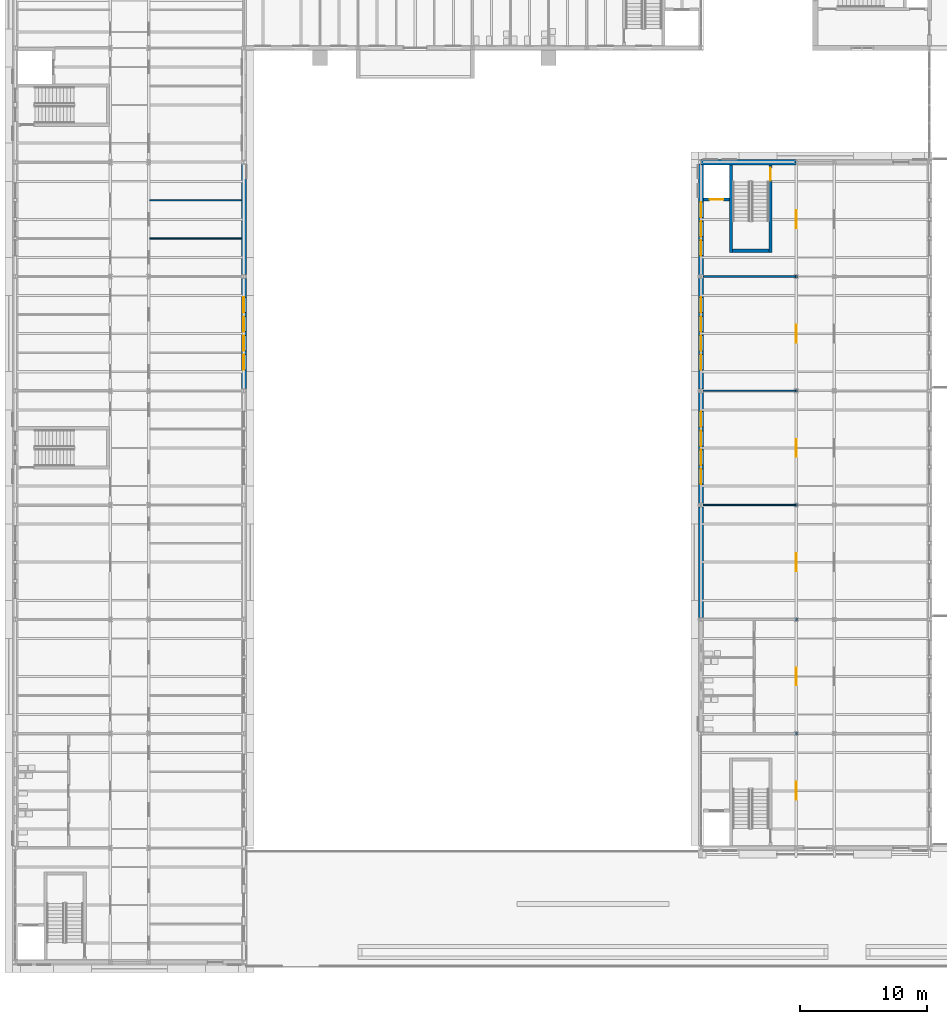
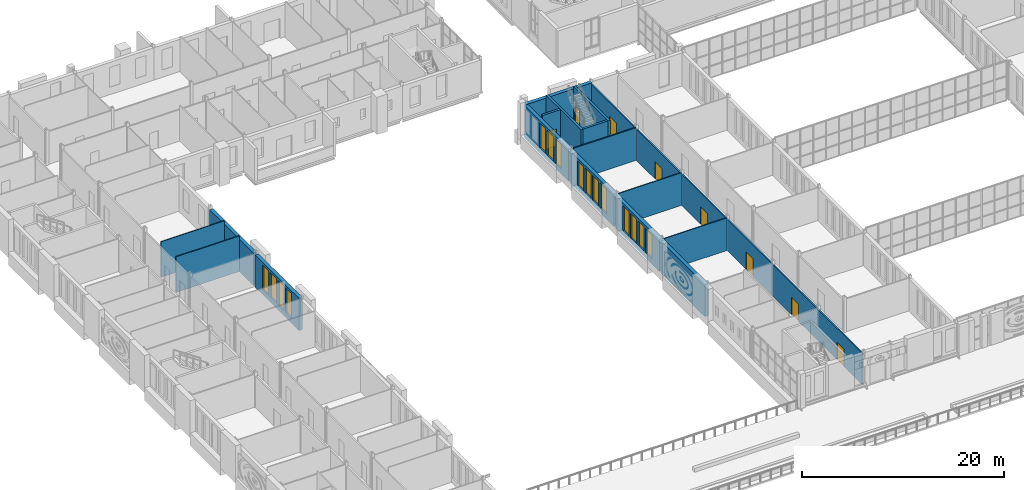
# One storey, part 73 of 134: 17 walls, 15 windows, 8 doors, 23 openings.
"""IFC4 building model written with IfcOpenShell, lengths in metres."""

import ifcopenshell
import ifcopenshell.guid

model = None  # the IFC model being written
_history = None  # IfcOwnerHistory: only IFC2X3 demands one
_inside = {}  # id of a spatial element -> (the spatial element, [elements in it])
_under = {}  # id of a project, library or spatial element -> (it, [spatial elements below it])
_declared = {}  # id of a project -> (the project, [libraries it declares])
_typed = {}  # id of a type object -> (the type object, [elements of that type])
_made_of = {}  # id of a material, layer set ... -> (it, [elements and type objects made of it])


def new_model(schema):
    """Start an empty IFC model of exactly this schema.

    Asked for "IFC4X3", IfcOpenShell would pick the latest addendum, in which some entities
    have other attributes; the version numbers below select the first issue.
    IFC2X3 requires an IfcOwnerHistory on every rooted entity: one is made here for all.
    """
    global model, _history
    if schema == "IFC4X3":
        model = ifcopenshell.file(schema_version=(4, 3, 0, 0))
    else:
        model = ifcopenshell.file(schema=schema)
    _inside.clear()
    _under.clear()
    _declared.clear()
    _typed.clear()
    _made_of.clear()
    _history = None
    if model.schema == "IFC2X3":
        org = make("IfcOrganization", Name="unknown")
        user = make(
            "IfcPersonAndOrganization",
            ThePerson=make("IfcPerson", FamilyName="unknown"),
            TheOrganization=org,
        )
        app = make(
            "IfcApplication",
            ApplicationDeveloper=org,
            Version="unknown",
            ApplicationFullName="unknown",
            ApplicationIdentifier="unknown",
        )
        _history = make(
            "IfcOwnerHistory",
            OwningUser=user,
            OwningApplication=app,
            ChangeAction="ADDED",
            CreationDate=0,
        )
    return model


def make(cls, **values):
    """One entity of the class cls with the attributes given. An attribute that is None is left unset."""
    return model.create_entity(
        cls, **{name: value for name, value in values.items() if value is not None}
    )


def rooted(cls, **values):
    """An entity with a GlobalId (a new one), such as an element, a storey or a relation."""
    return make(cls, GlobalId=ifcopenshell.guid.new(), OwnerHistory=_history, **values)


def si_unit(unit_type, name, prefix=None):
    """IfcSIUnit, for example si_unit("LENGTHUNIT", "METRE", prefix="MILLI")."""
    return make("IfcSIUnit", UnitType=unit_type, Prefix=prefix, Name=name)


def assignment(units):
    """IfcUnitAssignment: the units of a project."""
    return None if units is None else make("IfcUnitAssignment", Units=units)


def point(xyz):
    """IfcCartesianPoint."""
    return None if xyz is None else make("IfcCartesianPoint", Coordinates=xyz)


def direction(xyz):
    """IfcDirection."""
    return None if xyz is None else make("IfcDirection", DirectionRatios=xyz)


def frame(location, z_axis=None, x_axis=None):
    """IfcAxis2Placement3D, a coordinate frame: its origin and axes. An axis left out is left unset."""
    return make(
        "IfcAxis2Placement3D",
        Location=point(location),
        Axis=direction(z_axis),
        RefDirection=direction(x_axis),
    )


def frame_2d(location, x_axis=None):
    """IfcAxis2Placement2D, a coordinate frame in the plane: its origin and x axis."""
    return make(
        "IfcAxis2Placement2D", Location=point(location), RefDirection=direction(x_axis)
    )


def origin():
    """The frame at (0, 0, 0) with its axes left unset."""
    return frame((0.0, 0.0, 0.0))


def place(relative_to, where):
    """IfcLocalPlacement: puts the frame where relative to a parent placement (None: the world)."""
    return make(
        "IfcLocalPlacement", PlacementRelTo=relative_to, RelativePlacement=where
    )


def context(
    kind, dimensions, precision=None, world=None, true_north=None, identifier=None
):
    """IfcGeometricRepresentationContext, for example the 3D "Model" context."""
    return make(
        "IfcGeometricRepresentationContext",
        ContextIdentifier=identifier,
        ContextType=kind,
        CoordinateSpaceDimension=dimensions,
        Precision=precision,
        WorldCoordinateSystem=world,
        TrueNorth=true_north,
    )


def subcontext(parent, identifier, kind, view, scale=None):
    """IfcGeometricRepresentationSubContext, for example "Body" below "Model"."""
    return make(
        "IfcGeometricRepresentationSubContext",
        ContextIdentifier=identifier,
        ContextType=kind,
        ParentContext=parent,
        TargetScale=scale,
        TargetView=view,
    )


def project(units=None, contexts=None):
    """IfcProject with its units and contexts."""
    return rooted(
        "IfcProject",
        Name="project",
        RepresentationContexts=contexts,
        UnitsInContext=assignment(units),
    )


def spatial(cls, under=None, at=None, **own):
    """A site, building, storey or space (cls), placed at a placement, below another one or the project."""
    s = rooted(cls, ObjectPlacement=at, **own)
    if under is not None:
        _under.setdefault(under.id(), (under, []))[1].append(s)
    return s


def profile(cls, at=None, kind="AREA", **sizes):
    """A parametric profile (cls). Its sizes go by their IFC names, for example OverallWidth=200.0."""
    return make(cls, ProfileType=kind, Position=at, **sizes)


def rectangle(**sizes):
    """IfcRectangleProfileDef."""
    return profile("IfcRectangleProfileDef", **sizes)


def extrude(swept, where, along, depth):
    """IfcExtrudedAreaSolid: the profile swept, set in the frame where, extruded along a direction by depth."""
    return make(
        "IfcExtrudedAreaSolid",
        SweptArea=swept,
        Position=where,
        ExtrudedDirection=direction(along),
        Depth=depth,
    )


def shape(context_of_items, identifier, shape_type, items):
    """IfcShapeRepresentation: the items that make up one representation, for example the "Body"."""
    return make(
        "IfcShapeRepresentation",
        ContextOfItems=context_of_items,
        RepresentationIdentifier=identifier,
        RepresentationType=shape_type,
        Items=items,
    )


def material(Name=None, Category=None):
    """IfcMaterial."""
    return make("IfcMaterial", Name=Name, Category=Category)


def layer(
    of_material, thickness, ventilated=None, Name=None, Category=None, Priority=None
):
    """IfcMaterialLayer: one layer of a wall or slab, of a material (None: an air gap)."""
    return make(
        "IfcMaterialLayer",
        Material=of_material,
        LayerThickness=thickness,
        IsVentilated=ventilated,
        Name=Name,
        Category=Category,
        Priority=Priority,
    )


def layer_set(layers, Name=None):
    """IfcMaterialLayerSet."""
    return make("IfcMaterialLayerSet", MaterialLayers=layers, LayerSetName=Name)


def made_of(thing, what):
    """Note that an element or type object is made of a material, layer set ...; save() writes the relation."""
    if what is not None:
        _made_of.setdefault(what.id(), (what, []))[1].append(thing)
    return thing


def type_object(cls, material=None, **own):
    """A type object (cls), such as IfcWallType, which elements share."""
    return made_of(rooted(cls, **own), material)


def element(
    cls,
    number,
    at=None,
    inside=None,
    cuts=None,
    type_object=None,
    material=None,
    context=None,
    identifier="Body",
    shape_type=None,
    held_by="IfcProductDefinitionShape",
    body=None,
    shapes=None,
    **own,
):
    """One element of the class cls, such as IfcWall. Its Tag is "e" and its number.

    at: its placement. inside: the storey or other place that contains it. cuts: it is an
    opening in that element (IfcRelVoidsElement). A single representation is given by context,
    identifier, shape_type and body (its items); several are given by shapes. held_by: the class
    of the entity that holds the representations. save() writes the other relations.
    """
    e = rooted(cls, Tag="e%d" % number, ObjectPlacement=at, **own)
    if body is not None:
        shapes = [shape(context, identifier, shape_type, body)]
    if shapes is not None:
        e.Representation = make(held_by, Representations=shapes)
    if inside is not None:
        _inside.setdefault(inside.id(), (inside, []))[1].append(e)
    if cuts is not None:
        rooted(
            "IfcRelVoidsElement", RelatingBuildingElement=cuts, RelatedOpeningElement=e
        )
    if type_object is not None:
        _typed.setdefault(type_object.id(), (type_object, []))[1].append(e)
    return made_of(e, material)


def fill(opening, filler):
    """IfcRelFillsElement: the door or window that sits in an opening."""
    return rooted(
        "IfcRelFillsElement",
        RelatingOpeningElement=opening,
        RelatedBuildingElement=filler,
    )


def aggregate(whole, parts):
    """IfcRelAggregates: a whole, such as a stair, and the parts it consists of."""
    return rooted("IfcRelAggregates", RelatingObject=whole, RelatedObjects=parts)


def save(model, path):
    """Write the relations noted so far, then the file.

    IfcRelAggregates (storeys below a building ...), IfcRelContainedInSpatialStructure (elements
    in a storey), IfcRelDefinesByType, IfcRelAssociatesMaterial and IfcRelDeclares: one each for
    every whole, place, type object, material and project.
    """
    for whole, parts in _under.values():
        aggregate(whole, parts)
    for where, things in _inside.values():
        rooted(
            "IfcRelContainedInSpatialStructure",
            RelatedElements=things,
            RelatingStructure=where,
        )
    for kind, things in _typed.values():
        rooted("IfcRelDefinesByType", RelatedObjects=things, RelatingType=kind)
    for what, things in _made_of.values():
        rooted("IfcRelAssociatesMaterial", RelatedObjects=things, RelatingMaterial=what)
    for by, libraries in _declared.values():
        rooted("IfcRelDeclares", RelatingContext=by, RelatedDefinitions=libraries)
    model.write(path)


model = new_model("IFC4")

# Units and contexts
model_context = context("Model", 3, precision=1e-05, world=origin(), true_north=direction((0.0, 1.0)))
body_context = subcontext(model_context, "Body", "Model", "MODEL_VIEW")
ifc_project = project(units=[si_unit("LENGTHUNIT", "METRE"), si_unit("AREAUNIT", "SQUARE_METRE"), si_unit("VOLUMEUNIT", "CUBIC_METRE"), si_unit("PLANEANGLEUNIT", "RADIAN"), si_unit("MASSUNIT", "GRAM", prefix="KILO")], contexts=[model_context])

# Site, building, storey
site_placement = place(None, origin())
site = spatial("IfcSite", under=ifc_project, at=site_placement, CompositionType="ELEMENT")
building_placement = place(site_placement, origin())
building = spatial("IfcBuilding", under=site, at=building_placement, Name="Golden Quay Civic Hall", CompositionType="ELEMENT")
storey_placement = place(building_placement, frame((0.0, 0.0, 5.39990234375)))
storey = spatial("IfcBuildingStorey", under=building, at=storey_placement, Name="L01", CompositionType="ELEMENT", Elevation=5.39990234375)

# Wall
ifc_material_1 = material(Name="Concrete C40/50", Category="concrete")
ifc_layer_1 = layer(ifc_material_1, 0.25)
ifc_layer_set_1 = layer_set([ifc_layer_1], Name="Concrete core wall 250, Concrete C40/50")
wall_type_1 = type_object("IfcWallType", Name="Concrete core wall 250", PredefinedType="SHEAR", material=ifc_layer_set_1)
wall_1_placement = place(storey_placement, frame((56.375, 46.89990234375, 0.0), z_axis=(0.0, 0.0, 1.0), x_axis=(0.0, 1.0, 0.0)))
element("IfcWall", 1, at=wall_1_placement, inside=storey, type_object=wall_type_1, Name="Core wall WM-N-W1", PredefinedType="SHEAR", context=body_context, shape_type="SweptSolid", body=[
    extrude(rectangle(XDim=6.900146484375, YDim=0.25, at=frame_2d((3.4501953125, 0.0))), origin(), (0.0, 0.0, 1.0), 4.300048828125),
])

# Wall, opening, door
wall_2_placement = place(storey_placement, frame((59.47509765625, 46.89990234375, 0.0), z_axis=(0.0, 0.0, 1.0), x_axis=(0.0, 1.0, 0.0)))
wall_2 = element("IfcWall", 2, at=wall_2_placement, inside=storey, type_object=wall_type_1, Name="Core wall WM-N-W2", PredefinedType="SHEAR", context=body_context, shape_type="SweptSolid", body=[
    extrude(rectangle(XDim=6.900146484375, YDim=0.25, at=frame_2d((3.4501953125, 0.0))), origin(), (0.0, 0.0, 1.0), 4.300048828125),
])
opening_1_placement = place(wall_2_placement, frame((5.64990234375, 0.0, 0.0)))
opening_1 = element("IfcOpeningElement", 3, at=opening_1_placement, cuts=wall_2, Name="Opening L01-D105", PredefinedType="OPENING", context=body_context, shape_type="SweptSolid", body=[
    extrude(rectangle(XDim=1.0, YDim=2.10009765625, at=frame_2d((0.5, 1.050048828125))), frame((0.0, 0.135009765625, 0.0), z_axis=(0.0, -1.0, 0.0), x_axis=(1.0, 0.0, 0.0)), (0.0, 0.0, 1.0), 0.27001953125),
])
ifc_material_2 = material(Name="Steel", Category="steel")
door_type_1 = type_object("IfcDoorType", Name="Steel fire door FD60 1000 x 2100", OperationType="SINGLE_SWING_LEFT", PredefinedType="DOOR", material=ifc_material_2)
door_1_placement = place(opening_1_placement, origin())
door_1 = element("IfcDoor", 4, at=door_1_placement, inside=storey, type_object=door_type_1, Name="Door L01-D105", OperationType="SINGLE_SWING_LEFT", OverallHeight=2.10009765625, OverallWidth=1.0, PredefinedType="DOOR", context=body_context, shape_type="SweptSolid", body=[
    extrude(rectangle(XDim=1.0, YDim=2.10009765625, at=frame_2d((0.5, 1.050048828125))), frame((0.0, 0.02490234375, 0.0), z_axis=(0.0, -1.0, 0.0), x_axis=(1.0, 0.0, 0.0)), (0.0, 0.0, 1.0), 0.050048828125),
])
fill(opening_1, door_1)

# Wall
wall_3_placement = place(storey_placement, frame((56.5, 47.02490234375, 0.0), z_axis=(0.0, 0.0, 1.0), x_axis=(1.0, 0.0, 0.0)))
element("IfcWall", 5, at=wall_3_placement, inside=storey, type_object=wall_type_1, Name="Core wall WM-N-W3", PredefinedType="SHEAR", context=body_context, shape_type="SweptSolid", body=[
    extrude(rectangle(XDim=2.85009765625, YDim=0.25, at=frame_2d((1.425048828125, 0.0))), origin(), (0.0, 0.0, 1.0), 4.300048828125),
])

# Wall, opening, door
wall_4_placement = place(storey_placement, frame((54.199951171875, 51.074951171875, 0.0), z_axis=(0.0, 0.0, 1.0), x_axis=(1.0, 0.0, 0.0)))
wall_4 = element("IfcWall", 6, at=wall_4_placement, inside=storey, type_object=wall_type_1, Name="Core wall WM-N-W4", PredefinedType="SHEAR", context=body_context, shape_type="SweptSolid", body=[
    extrude(rectangle(XDim=2.050048828125, YDim=0.25, at=frame_2d((1.02490234375, 0.0))), origin(), (0.0, 0.0, 1.0), 4.300048828125),
])
opening_2_placement = place(wall_4_placement, frame((0.47509765625, 0.0, 0.0)))
opening_2 = element("IfcOpeningElement", 7, at=opening_2_placement, cuts=wall_4, Name="Opening L01-D108", PredefinedType="OPENING", context=body_context, shape_type="SweptSolid", body=[
    extrude(rectangle(XDim=1.10009765625, YDim=2.10009765625, at=frame_2d((0.550048828125, 1.050048828125))), frame((0.0, 0.135009765625, 0.0), z_axis=(0.0, -1.0, 0.0), x_axis=(1.0, 0.0, 0.0)), (0.0, 0.0, 1.0), 0.27001953125),
])
ifc_material_3 = material(Name="Steel", Category="steel")
door_type_2 = type_object("IfcDoorType", Name="Lift landing door 1100 x 2100", OperationType="SLIDING_TO_LEFT", PredefinedType="DOOR", material=ifc_material_3)
door_2_placement = place(opening_2_placement, origin())
door_2 = element("IfcDoor", 8, at=door_2_placement, inside=storey, type_object=door_type_2, Name="Lift landing door L01-D108 WM-N", OperationType="SLIDING_TO_LEFT", OverallHeight=2.10009765625, OverallWidth=1.10009765625, PredefinedType="DOOR", context=body_context, shape_type="SweptSolid", body=[
    extrude(rectangle(XDim=1.10009765625, YDim=2.10009765625, at=frame_2d((0.550048828125, 1.050048828125))), frame((0.0, 0.02490234375, 0.0), z_axis=(0.0, -1.0, 0.0), x_axis=(1.0, 0.0, 0.0)), (0.0, 0.0, 1.0), 0.050048828125),
])
fill(opening_2, door_2)

# Walls
ifc_material_4 = material(Name="Plasterboard on steel studs", Category="steel")
ifc_layer_2 = layer(ifc_material_4, 0.10009765625)
ifc_layer_set_2 = layer_set([ifc_layer_2], Name="Partition 100 stud")
wall_type_2 = type_object("IfcWallType", Name="Partition 100 stud", PredefinedType="PARTITIONING", material=ifc_layer_set_2)
for number, where, z_axis, x_axis, name in (
    (9, (10.574951171875, 48.0, 0.0), (0.0, 0.0, 1.0), (1.0, 0.0, 0.0), "Partition L01-022"),
    (10, (10.574951171875, 51.0, 0.0), (0.0, 0.0, 1.0), (1.0, 0.0, 0.0), "Partition L01-023"),
):
    element("IfcWall", number, at=place(storey_placement, frame(where, z_axis=z_axis, x_axis=x_axis)), inside=storey, type_object=wall_type_2, Name=name, PredefinedType="PARTITIONING", context=body_context, shape_type="SweptSolid", body=[
        extrude(rectangle(XDim=7.22509765625, YDim=0.10009765625, at=frame_2d((3.612548828125, 0.0))), origin(), (0.0, 0.0, 1.0), 4.300048828125),
    ])
for number, where, z_axis, x_axis, name in (
    (11, (54.199951171875, 27.0, 0.0), (0.0, 0.0, 1.0), (1.0, 0.0, 0.0), "Partition L01-001"),
    (12, (54.199951171875, 36.0, 0.0), (0.0, 0.0, 1.0), (1.0, 0.0, 0.0), "Partition L01-002"),
):
    element("IfcWall", number, at=place(storey_placement, frame(where, z_axis=z_axis, x_axis=x_axis)), inside=storey, type_object=wall_type_2, Name=name, PredefinedType="PARTITIONING", context=body_context, shape_type="SweptSolid", body=[
        extrude(rectangle(XDim=7.22509765625, YDim=0.10009765625, at=frame_2d((3.612548828125, 0.0))), origin(), (0.0, 0.0, 1.0), 3.9501953125),
    ])
ifc_material_5 = material(Name="Plasterboard on steel studs", Category="steel")
ifc_layer_3 = layer(ifc_material_5, 0.14990234375)
ifc_layer_set_3 = layer_set([ifc_layer_3], Name="Partition 150 stud fire EI 60")
wall_type_3 = type_object("IfcWallType", Name="Partition 150 stud fire EI 60", PredefinedType="PARTITIONING", material=ifc_layer_set_3)
wall_5_placement = place(storey_placement, frame((54.199951171875, 45.0, 0.0), z_axis=(0.0, 0.0, 1.0), x_axis=(1.0, 0.0, 0.0)))
element("IfcWall", 13, at=wall_5_placement, inside=storey, type_object=wall_type_3, Name="Partition L01-003", PredefinedType="PARTITIONING", context=body_context, shape_type="SweptSolid", body=[
    extrude(rectangle(XDim=7.22509765625, YDim=0.14990234375, at=frame_2d((3.612548828125, 0.0))), origin(), (0.0, 0.0, 1.0), 3.9501953125),
])

# Wall, openings, doors
wall_6_placement = place(storey_placement, frame((61.5, 0.199951171875, 0.0), z_axis=(0.0, 0.0, 1.0), x_axis=(0.0, 1.0, 0.0)))
wall_6 = element("IfcWall", 14, at=wall_6_placement, inside=storey, type_object=wall_type_3, Name="Partition L01-010", PredefinedType="PARTITIONING", context=body_context, shape_type="SweptSolid", body=[
    extrude(rectangle(XDim=53.60009765625, YDim=0.14990234375, at=frame_2d((26.800048828125, 0.0))), origin(), (0.0, 0.0, 1.0), 3.780029296875),
])
opening_3_placement = place(wall_6_placement, frame((21.60009765625, 0.0, 0.0)))
opening_3 = element("IfcOpeningElement", 15, at=opening_3_placement, cuts=wall_6, Name="Opening L01-D091", PredefinedType="OPENING", context=body_context, shape_type="SweptSolid", body=[
    extrude(rectangle(XDim=1.39990234375, YDim=2.10009765625, at=frame_2d((0.699951171875, 1.050048828125))), frame((0.0, 0.0849609375, 0.0), z_axis=(0.0, -1.0, 0.0), x_axis=(1.0, 0.0, 0.0)), (0.0, 0.0, 1.0), 0.169921875),
])
opening_4_placement = place(wall_6_placement, frame((30.60009765625, 0.0, 0.0)))
opening_4 = element("IfcOpeningElement", 16, at=opening_4_placement, cuts=wall_6, Name="Opening L01-D092", PredefinedType="OPENING", context=body_context, shape_type="SweptSolid", body=[
    extrude(rectangle(XDim=1.39990234375, YDim=2.10009765625, at=frame_2d((0.699951171875, 1.050048828125))), frame((0.0, 0.0849609375, 0.0), z_axis=(0.0, -1.0, 0.0), x_axis=(1.0, 0.0, 0.0)), (0.0, 0.0, 1.0), 0.169921875),
])
opening_5_placement = place(wall_6_placement, frame((39.60009765625, 0.0, 0.0)))
opening_5 = element("IfcOpeningElement", 17, at=opening_5_placement, cuts=wall_6, Name="Opening L01-D093", PredefinedType="OPENING", context=body_context, shape_type="SweptSolid", body=[
    extrude(rectangle(XDim=1.39990234375, YDim=2.10009765625, at=frame_2d((0.699951171875, 1.050048828125))), frame((0.0, 0.0849609375, 0.0), z_axis=(0.0, -1.0, 0.0), x_axis=(1.0, 0.0, 0.0)), (0.0, 0.0, 1.0), 0.169921875),
])
opening_6_placement = place(wall_6_placement, frame((12.60009765625, 0.0, 0.0)))
opening_6 = element("IfcOpeningElement", 18, at=opening_6_placement, cuts=wall_6, Name="Opening L01-D099", PredefinedType="OPENING", context=body_context, shape_type="SweptSolid", body=[
    extrude(rectangle(XDim=1.39990234375, YDim=2.10009765625, at=frame_2d((0.699951171875, 1.050048828125))), frame((0.0, 0.0849609375, 0.0), z_axis=(0.0, -1.0, 0.0), x_axis=(1.0, 0.0, 0.0)), (0.0, 0.0, 1.0), 0.169921875),
])
opening_7_placement = place(wall_6_placement, frame((3.60009765625, 0.0, 0.0)))
opening_7 = element("IfcOpeningElement", 19, at=opening_7_placement, cuts=wall_6, Name="Opening L01-D104", PredefinedType="OPENING", context=body_context, shape_type="SweptSolid", body=[
    extrude(rectangle(XDim=1.39990234375, YDim=2.10009765625, at=frame_2d((0.699951171875, 1.050048828125))), frame((0.0, 0.0849609375, 0.0), z_axis=(0.0, -1.0, 0.0), x_axis=(1.0, 0.0, 0.0)), (0.0, 0.0, 1.0), 0.169921875),
])
opening_8_placement = place(wall_6_placement, frame((48.60009765625, 0.0, 0.0)))
opening_8 = element("IfcOpeningElement", 20, at=opening_8_placement, cuts=wall_6, Name="Opening L01-D106", PredefinedType="OPENING", context=body_context, shape_type="SweptSolid", body=[
    extrude(rectangle(XDim=1.39990234375, YDim=2.10009765625, at=frame_2d((0.699951171875, 1.050048828125))), frame((0.0, 0.0849609375, 0.0), z_axis=(0.0, -1.0, 0.0), x_axis=(1.0, 0.0, 0.0)), (0.0, 0.0, 1.0), 0.169921875),
])
ifc_material_6 = material(Name="Steel", Category="steel")
door_type_3 = type_object("IfcDoorType", Name="Steel double fire door FD30S 1400 x 2100", OperationType="DOUBLE_DOOR_SINGLE_SWING", PredefinedType="DOOR", material=ifc_material_6)
door_3_placement = place(opening_3_placement, origin())
door_3 = element("IfcDoor", 21, at=door_3_placement, inside=storey, type_object=door_type_3, Name="Door L01-D091", OperationType="DOUBLE_DOOR_SINGLE_SWING", OverallHeight=2.10009765625, OverallWidth=1.39990234375, PredefinedType="DOOR", context=body_context, shape_type="SweptSolid", body=[
    extrude(rectangle(XDim=1.39990234375, YDim=2.10009765625, at=frame_2d((0.699951171875, 1.050048828125))), frame((0.0, 0.02490234375, 0.0), z_axis=(0.0, -1.0, 0.0), x_axis=(1.0, 0.0, 0.0)), (0.0, 0.0, 1.0), 0.050048828125),
])
fill(opening_3, door_3)
door_4_placement = place(opening_4_placement, origin())
door_4 = element("IfcDoor", 22, at=door_4_placement, inside=storey, type_object=door_type_3, Name="Door L01-D092", OperationType="DOUBLE_DOOR_SINGLE_SWING", OverallHeight=2.10009765625, OverallWidth=1.39990234375, PredefinedType="DOOR", context=body_context, shape_type="SweptSolid", body=[
    extrude(rectangle(XDim=1.39990234375, YDim=2.10009765625, at=frame_2d((0.699951171875, 1.050048828125))), frame((0.0, 0.02490234375, 0.0), z_axis=(0.0, -1.0, 0.0), x_axis=(1.0, 0.0, 0.0)), (0.0, 0.0, 1.0), 0.050048828125),
])
fill(opening_4, door_4)
door_5_placement = place(opening_5_placement, origin())
door_5 = element("IfcDoor", 23, at=door_5_placement, inside=storey, type_object=door_type_3, Name="Door L01-D093", OperationType="DOUBLE_DOOR_SINGLE_SWING", OverallHeight=2.10009765625, OverallWidth=1.39990234375, PredefinedType="DOOR", context=body_context, shape_type="SweptSolid", body=[
    extrude(rectangle(XDim=1.39990234375, YDim=2.10009765625, at=frame_2d((0.699951171875, 1.050048828125))), frame((0.0, 0.02490234375, 0.0), z_axis=(0.0, -1.0, 0.0), x_axis=(1.0, 0.0, 0.0)), (0.0, 0.0, 1.0), 0.050048828125),
])
fill(opening_5, door_5)
door_6_placement = place(opening_6_placement, origin())
door_6 = element("IfcDoor", 24, at=door_6_placement, inside=storey, type_object=door_type_3, Name="Door L01-D099", OperationType="DOUBLE_DOOR_SINGLE_SWING", OverallHeight=2.10009765625, OverallWidth=1.39990234375, PredefinedType="DOOR", context=body_context, shape_type="SweptSolid", body=[
    extrude(rectangle(XDim=1.39990234375, YDim=2.10009765625, at=frame_2d((0.699951171875, 1.050048828125))), frame((0.0, 0.02490234375, 0.0), z_axis=(0.0, -1.0, 0.0), x_axis=(1.0, 0.0, 0.0)), (0.0, 0.0, 1.0), 0.050048828125),
])
fill(opening_6, door_6)
door_7_placement = place(opening_7_placement, frame((1.39990234375, 0.0, 0.0), z_axis=(0.0, 0.0, 1.0), x_axis=(-1.0, 0.0, 0.0)))
door_7 = element("IfcDoor", 25, at=door_7_placement, inside=storey, type_object=door_type_3, Name="Door L01-D104", OperationType="DOUBLE_DOOR_SINGLE_SWING", OverallHeight=2.10009765625, OverallWidth=1.39990234375, PredefinedType="DOOR", context=body_context, shape_type="SweptSolid", body=[
    extrude(rectangle(XDim=1.39990234375, YDim=2.10009765625, at=frame_2d((0.699951171875, 1.050048828125))), frame((0.0, 0.025146484375, 0.0), z_axis=(0.0, -1.0, 0.0), x_axis=(1.0, 0.0, 0.0)), (0.0, 0.0, 1.0), 0.050048828125),
])
fill(opening_7, door_7)
door_8_placement = place(opening_8_placement, frame((1.39990234375, 0.0, 0.0), z_axis=(0.0, 0.0, 1.0), x_axis=(-1.0, 0.0, 0.0)))
door_8 = element("IfcDoor", 26, at=door_8_placement, inside=storey, type_object=door_type_3, Name="Door L01-D106", OperationType="DOUBLE_DOOR_SINGLE_SWING", OverallHeight=2.10009765625, OverallWidth=1.39990234375, PredefinedType="DOOR", context=body_context, shape_type="SweptSolid", body=[
    extrude(rectangle(XDim=1.39990234375, YDim=2.10009765625, at=frame_2d((0.699951171875, 1.050048828125))), frame((0.0, 0.025146484375, 0.0), z_axis=(0.0, -1.0, 0.0), x_axis=(1.0, 0.0, 0.0)), (0.0, 0.0, 1.0), 0.050048828125),
])
fill(opening_8, door_8)

# Wall, openings, windows
ifc_material_7 = material(Name="Clay block, rendered, cream")
ifc_layer_4 = layer(ifc_material_7, 0.39990234375)
ifc_layer_set_4 = layer_set([ifc_layer_4], Name="Rendered block external wall 400")
wall_type_4 = type_object("IfcWallType", Name="Rendered block external wall 400", PredefinedType="STANDARD", material=ifc_layer_set_4)
wall_7_placement = place(storey_placement, frame((18.0, 44.85009765625, 0.0), z_axis=(0.0, 0.0, 1.0), x_axis=(0.0, -1.0, 0.0)))
wall_7 = element("IfcWall", 27, at=wall_7_placement, inside=storey, type_object=wall_type_4, Name="Rendered block external wall 400 L01 17", PredefinedType="STANDARD", context=body_context, shape_type="SweptSolid", body=[
    extrude(rectangle(XDim=8.7001953125, YDim=0.39990234375, at=frame_2d((4.35009765625, 0.0))), origin(), (0.0, 0.0, 1.0), 3.900146484375),
])
opening_9_placement = place(wall_7_placement, frame((6.0, 0.0, 0.60009765625)))
opening_9 = element("IfcOpeningElement", 28, at=opening_9_placement, cuts=wall_7, Name="Opening WN5", PredefinedType="OPENING", context=body_context, shape_type="SweptSolid", body=[
    extrude(rectangle(XDim=1.199951171875, YDim=3.0, at=frame_2d((0.60009765625, 1.5))), frame((0.0, 0.2099609375, 0.0), z_axis=(0.0, -1.0, 0.0), x_axis=(1.0, 0.0, 0.0)), (0.0, 0.0, 1.0), 0.419921875),
])
opening_10_placement = place(wall_7_placement, frame((4.5, 0.0, 0.60009765625)))
opening_10 = element("IfcOpeningElement", 29, at=opening_10_placement, cuts=wall_7, Name="Opening WN5", PredefinedType="OPENING", context=body_context, shape_type="SweptSolid", body=[
    extrude(rectangle(XDim=1.199951171875, YDim=3.0, at=frame_2d((0.60009765625, 1.5))), frame((0.0, 0.2099609375, 0.0), z_axis=(0.0, -1.0, 0.0), x_axis=(1.0, 0.0, 0.0)), (0.0, 0.0, 1.0), 0.419921875),
])
opening_11_placement = place(wall_7_placement, frame((3.0, 0.0, 0.60009765625)))
opening_11 = element("IfcOpeningElement", 30, at=opening_11_placement, cuts=wall_7, Name="Opening WN5", PredefinedType="OPENING", context=body_context, shape_type="SweptSolid", body=[
    extrude(rectangle(XDim=1.199951171875, YDim=3.0, at=frame_2d((0.60009765625, 1.5))), frame((0.0, 0.2099609375, 0.0), z_axis=(0.0, -1.0, 0.0), x_axis=(1.0, 0.0, 0.0)), (0.0, 0.0, 1.0), 0.419921875),
])
opening_12_placement = place(wall_7_placement, frame((1.5, 0.0, 0.60009765625)))
opening_12 = element("IfcOpeningElement", 31, at=opening_12_placement, cuts=wall_7, Name="Opening WN5", PredefinedType="OPENING", context=body_context, shape_type="SweptSolid", body=[
    extrude(rectangle(XDim=1.199951171875, YDim=3.0, at=frame_2d((0.60009765625, 1.5))), frame((0.0, 0.2099609375, 0.0), z_axis=(0.0, -1.0, 0.0), x_axis=(1.0, 0.0, 0.0)), (0.0, 0.0, 1.0), 0.419921875),
])
ifc_material_8 = material(Name="Aluminium frame, double glazed", Category="aluminium")
window_type = type_object("IfcWindowType", Name="Golden grid window 1200 x 3000", PartitioningType="SINGLE_PANEL", PredefinedType="WINDOW", material=ifc_material_8)
window_1_placement = place(opening_9_placement, origin())
window_1 = element("IfcWindow", 32, at=window_1_placement, inside=storey, type_object=window_type, Name="Golden grid window 1200 x 3000 L01 28", OverallHeight=3.0, OverallWidth=1.199951171875, PartitioningType="SINGLE_PANEL", PredefinedType="WINDOW", context=body_context, shape_type="SweptSolid", body=[
    extrude(rectangle(XDim=1.199951171875, YDim=3.0, at=frame_2d((0.60009765625, 1.5))), frame((0.0, 0.030029296875, 0.0), z_axis=(0.0, -1.0, 0.0), x_axis=(1.0, 0.0, 0.0)), (0.0, 0.0, 1.0), 0.06005859375),
])
fill(opening_9, window_1)
window_2_placement = place(opening_10_placement, origin())
window_2 = element("IfcWindow", 33, at=window_2_placement, inside=storey, type_object=window_type, Name="Golden grid window 1200 x 3000 L01 29", OverallHeight=3.0, OverallWidth=1.199951171875, PartitioningType="SINGLE_PANEL", PredefinedType="WINDOW", context=body_context, shape_type="SweptSolid", body=[
    extrude(rectangle(XDim=1.199951171875, YDim=3.0, at=frame_2d((0.60009765625, 1.5))), frame((0.0, 0.030029296875, 0.0), z_axis=(0.0, -1.0, 0.0), x_axis=(1.0, 0.0, 0.0)), (0.0, 0.0, 1.0), 0.06005859375),
])
fill(opening_10, window_2)
window_3_placement = place(opening_11_placement, origin())
window_3 = element("IfcWindow", 34, at=window_3_placement, inside=storey, type_object=window_type, Name="Golden grid window 1200 x 3000 L01 30", OverallHeight=3.0, OverallWidth=1.199951171875, PartitioningType="SINGLE_PANEL", PredefinedType="WINDOW", context=body_context, shape_type="SweptSolid", body=[
    extrude(rectangle(XDim=1.199951171875, YDim=3.0, at=frame_2d((0.60009765625, 1.5))), frame((0.0, 0.030029296875, 0.0), z_axis=(0.0, -1.0, 0.0), x_axis=(1.0, 0.0, 0.0)), (0.0, 0.0, 1.0), 0.06005859375),
])
fill(opening_11, window_3)
window_4_placement = place(opening_12_placement, origin())
window_4 = element("IfcWindow", 35, at=window_4_placement, inside=storey, type_object=window_type, Name="Golden grid window 1200 x 3000 L01 31", OverallHeight=3.0, OverallWidth=1.199951171875, PartitioningType="SINGLE_PANEL", PredefinedType="WINDOW", context=body_context, shape_type="SweptSolid", body=[
    extrude(rectangle(XDim=1.199951171875, YDim=3.0, at=frame_2d((0.60009765625, 1.5))), frame((0.0, 0.030029296875, 0.0), z_axis=(0.0, -1.0, 0.0), x_axis=(1.0, 0.0, 0.0)), (0.0, 0.0, 1.0), 0.06005859375),
])
fill(opening_12, window_4)

# Walls
wall_8_placement = place(storey_placement, frame((18.0, 53.85009765625, 0.0), z_axis=(0.0, 0.0, 1.0), x_axis=(0.0, -1.0, 0.0)))
element("IfcWall", 36, at=wall_8_placement, inside=storey, type_object=wall_type_4, Name="Rendered block external wall 400 L01 18", PredefinedType="STANDARD", context=body_context, shape_type="SweptSolid", body=[
    extrude(rectangle(XDim=8.7001953125, YDim=0.39990234375, at=frame_2d((4.35009765625, 0.0))), origin(), (0.0, 0.0, 1.0), 3.900146484375),
])
wall_9_placement = place(storey_placement, frame((54.0, 18.135009765625, 0.0), z_axis=(0.0, 0.0, 1.0), x_axis=(0.0, 1.0, 0.0)))
element("IfcWall", 37, at=wall_9_placement, inside=storey, type_object=wall_type_4, Name="Rendered block external wall 400 L01 22", PredefinedType="STANDARD", context=body_context, shape_type="SweptSolid", body=[
    extrude(rectangle(XDim=8.72998046875, YDim=0.39990234375, at=frame_2d((4.364990234375, 0.0))), origin(), (0.0, 0.0, 1.0), 3.900146484375),
])

# Wall, openings, windows
wall_10_placement = place(storey_placement, frame((54.0, 27.135009765625, 0.0), z_axis=(0.0, 0.0, 1.0), x_axis=(0.0, 1.0, 0.0)))
wall_10 = element("IfcWall", 38, at=wall_10_placement, inside=storey, type_object=wall_type_4, Name="Rendered block external wall 400 L01 23", PredefinedType="STANDARD", context=body_context, shape_type="SweptSolid", body=[
    extrude(rectangle(XDim=8.72998046875, YDim=0.39990234375, at=frame_2d((4.364990234375, 0.0))), origin(), (0.0, 0.0, 1.0), 3.900146484375),
])
opening_13_placement = place(wall_10_placement, frame((1.514892578125, 0.0, 0.60009765625)))
opening_13 = element("IfcOpeningElement", 39, at=opening_13_placement, cuts=wall_10, Name="Opening WN5", PredefinedType="OPENING", context=body_context, shape_type="SweptSolid", body=[
    extrude(rectangle(XDim=1.199951171875, YDim=3.0, at=frame_2d((0.60009765625, 1.5))), frame((0.0, 0.2099609375, 0.0), z_axis=(0.0, -1.0, 0.0), x_axis=(1.0, 0.0, 0.0)), (0.0, 0.0, 1.0), 0.419921875),
])
opening_14_placement = place(wall_10_placement, frame((3.014892578125, 0.0, 0.60009765625)))
opening_14 = element("IfcOpeningElement", 40, at=opening_14_placement, cuts=wall_10, Name="Opening WN5", PredefinedType="OPENING", context=body_context, shape_type="SweptSolid", body=[
    extrude(rectangle(XDim=1.199951171875, YDim=3.0, at=frame_2d((0.60009765625, 1.5))), frame((0.0, 0.2099609375, 0.0), z_axis=(0.0, -1.0, 0.0), x_axis=(1.0, 0.0, 0.0)), (0.0, 0.0, 1.0), 0.419921875),
])
opening_15_placement = place(wall_10_placement, frame((4.514892578125, 0.0, 0.60009765625)))
opening_15 = element("IfcOpeningElement", 41, at=opening_15_placement, cuts=wall_10, Name="Opening WN5", PredefinedType="OPENING", context=body_context, shape_type="SweptSolid", body=[
    extrude(rectangle(XDim=1.199951171875, YDim=3.0, at=frame_2d((0.60009765625, 1.5))), frame((0.0, 0.2099609375, 0.0), z_axis=(0.0, -1.0, 0.0), x_axis=(1.0, 0.0, 0.0)), (0.0, 0.0, 1.0), 0.419921875),
])
opening_16_placement = place(wall_10_placement, frame((6.014892578125, 0.0, 0.60009765625)))
opening_16 = element("IfcOpeningElement", 42, at=opening_16_placement, cuts=wall_10, Name="Opening WN5", PredefinedType="OPENING", context=body_context, shape_type="SweptSolid", body=[
    extrude(rectangle(XDim=1.199951171875, YDim=3.0, at=frame_2d((0.60009765625, 1.5))), frame((0.0, 0.2099609375, 0.0), z_axis=(0.0, -1.0, 0.0), x_axis=(1.0, 0.0, 0.0)), (0.0, 0.0, 1.0), 0.419921875),
])
window_5_placement = place(opening_13_placement, origin())
window_5 = element("IfcWindow", 43, at=window_5_placement, inside=storey, type_object=window_type, Name="Golden grid window 1200 x 3000 L01 33", OverallHeight=3.0, OverallWidth=1.199951171875, PartitioningType="SINGLE_PANEL", PredefinedType="WINDOW", context=body_context, shape_type="SweptSolid", body=[
    extrude(rectangle(XDim=1.199951171875, YDim=3.0, at=frame_2d((0.60009765625, 1.5))), frame((0.0, 0.030029296875, 0.0), z_axis=(0.0, -1.0, 0.0), x_axis=(1.0, 0.0, 0.0)), (0.0, 0.0, 1.0), 0.06005859375),
])
fill(opening_13, window_5)
window_6_placement = place(opening_14_placement, origin())
window_6 = element("IfcWindow", 44, at=window_6_placement, inside=storey, type_object=window_type, Name="Golden grid window 1200 x 3000 L01 34", OverallHeight=3.0, OverallWidth=1.199951171875, PartitioningType="SINGLE_PANEL", PredefinedType="WINDOW", context=body_context, shape_type="SweptSolid", body=[
    extrude(rectangle(XDim=1.199951171875, YDim=3.0, at=frame_2d((0.60009765625, 1.5))), frame((0.0, 0.030029296875, 0.0), z_axis=(0.0, -1.0, 0.0), x_axis=(1.0, 0.0, 0.0)), (0.0, 0.0, 1.0), 0.06005859375),
])
fill(opening_14, window_6)
window_7_placement = place(opening_15_placement, origin())
window_7 = element("IfcWindow", 45, at=window_7_placement, inside=storey, type_object=window_type, Name="Golden grid window 1200 x 3000 L01 35", OverallHeight=3.0, OverallWidth=1.199951171875, PartitioningType="SINGLE_PANEL", PredefinedType="WINDOW", context=body_context, shape_type="SweptSolid", body=[
    extrude(rectangle(XDim=1.199951171875, YDim=3.0, at=frame_2d((0.60009765625, 1.5))), frame((0.0, 0.030029296875, 0.0), z_axis=(0.0, -1.0, 0.0), x_axis=(1.0, 0.0, 0.0)), (0.0, 0.0, 1.0), 0.06005859375),
])
fill(opening_15, window_7)
window_8_placement = place(opening_16_placement, origin())
window_8 = element("IfcWindow", 46, at=window_8_placement, inside=storey, type_object=window_type, Name="Golden grid window 1200 x 3000 L01 36", OverallHeight=3.0, OverallWidth=1.199951171875, PartitioningType="SINGLE_PANEL", PredefinedType="WINDOW", context=body_context, shape_type="SweptSolid", body=[
    extrude(rectangle(XDim=1.199951171875, YDim=3.0, at=frame_2d((0.60009765625, 1.5))), frame((0.0, 0.030029296875, 0.0), z_axis=(0.0, -1.0, 0.0), x_axis=(1.0, 0.0, 0.0)), (0.0, 0.0, 1.0), 0.06005859375),
])
fill(opening_16, window_8)

wall_11_placement = place(storey_placement, frame((54.0, 36.135009765625, 0.0), z_axis=(0.0, 0.0, 1.0), x_axis=(0.0, 1.0, 0.0)))
wall_11 = element("IfcWall", 47, at=wall_11_placement, inside=storey, type_object=wall_type_4, Name="Rendered block external wall 400 L01 24", PredefinedType="STANDARD", context=body_context, shape_type="SweptSolid", body=[
    extrude(rectangle(XDim=8.72998046875, YDim=0.39990234375, at=frame_2d((4.364990234375, 0.0))), origin(), (0.0, 0.0, 1.0), 3.900146484375),
])
opening_17_placement = place(wall_11_placement, frame((1.514892578125, 0.0, 0.60009765625)))
opening_17 = element("IfcOpeningElement", 48, at=opening_17_placement, cuts=wall_11, Name="Opening WN5", PredefinedType="OPENING", context=body_context, shape_type="SweptSolid", body=[
    extrude(rectangle(XDim=1.199951171875, YDim=3.0, at=frame_2d((0.60009765625, 1.5))), frame((0.0, 0.2099609375, 0.0), z_axis=(0.0, -1.0, 0.0), x_axis=(1.0, 0.0, 0.0)), (0.0, 0.0, 1.0), 0.419921875),
])
opening_18_placement = place(wall_11_placement, frame((3.014892578125, 0.0, 0.60009765625)))
opening_18 = element("IfcOpeningElement", 49, at=opening_18_placement, cuts=wall_11, Name="Opening WN5", PredefinedType="OPENING", context=body_context, shape_type="SweptSolid", body=[
    extrude(rectangle(XDim=1.199951171875, YDim=3.0, at=frame_2d((0.60009765625, 1.5))), frame((0.0, 0.2099609375, 0.0), z_axis=(0.0, -1.0, 0.0), x_axis=(1.0, 0.0, 0.0)), (0.0, 0.0, 1.0), 0.419921875),
])
opening_19_placement = place(wall_11_placement, frame((4.514892578125, 0.0, 0.60009765625)))
opening_19 = element("IfcOpeningElement", 50, at=opening_19_placement, cuts=wall_11, Name="Opening WN5", PredefinedType="OPENING", context=body_context, shape_type="SweptSolid", body=[
    extrude(rectangle(XDim=1.199951171875, YDim=3.0, at=frame_2d((0.60009765625, 1.5))), frame((0.0, 0.2099609375, 0.0), z_axis=(0.0, -1.0, 0.0), x_axis=(1.0, 0.0, 0.0)), (0.0, 0.0, 1.0), 0.419921875),
])
opening_20_placement = place(wall_11_placement, frame((6.014892578125, 0.0, 0.60009765625)))
opening_20 = element("IfcOpeningElement", 51, at=opening_20_placement, cuts=wall_11, Name="Opening WN5", PredefinedType="OPENING", context=body_context, shape_type="SweptSolid", body=[
    extrude(rectangle(XDim=1.199951171875, YDim=3.0, at=frame_2d((0.60009765625, 1.5))), frame((0.0, 0.2099609375, 0.0), z_axis=(0.0, -1.0, 0.0), x_axis=(1.0, 0.0, 0.0)), (0.0, 0.0, 1.0), 0.419921875),
])
window_9_placement = place(opening_17_placement, origin())
window_9 = element("IfcWindow", 52, at=window_9_placement, inside=storey, type_object=window_type, Name="Golden grid window 1200 x 3000 L01 37", OverallHeight=3.0, OverallWidth=1.199951171875, PartitioningType="SINGLE_PANEL", PredefinedType="WINDOW", context=body_context, shape_type="SweptSolid", body=[
    extrude(rectangle(XDim=1.199951171875, YDim=3.0, at=frame_2d((0.60009765625, 1.5))), frame((0.0, 0.030029296875, 0.0), z_axis=(0.0, -1.0, 0.0), x_axis=(1.0, 0.0, 0.0)), (0.0, 0.0, 1.0), 0.06005859375),
])
fill(opening_17, window_9)
window_10_placement = place(opening_18_placement, origin())
window_10 = element("IfcWindow", 53, at=window_10_placement, inside=storey, type_object=window_type, Name="Golden grid window 1200 x 3000 L01 38", OverallHeight=3.0, OverallWidth=1.199951171875, PartitioningType="SINGLE_PANEL", PredefinedType="WINDOW", context=body_context, shape_type="SweptSolid", body=[
    extrude(rectangle(XDim=1.199951171875, YDim=3.0, at=frame_2d((0.60009765625, 1.5))), frame((0.0, 0.030029296875, 0.0), z_axis=(0.0, -1.0, 0.0), x_axis=(1.0, 0.0, 0.0)), (0.0, 0.0, 1.0), 0.06005859375),
])
fill(opening_18, window_10)
window_11_placement = place(opening_19_placement, origin())
window_11 = element("IfcWindow", 54, at=window_11_placement, inside=storey, type_object=window_type, Name="Golden grid window 1200 x 3000 L01 39", OverallHeight=3.0, OverallWidth=1.199951171875, PartitioningType="SINGLE_PANEL", PredefinedType="WINDOW", context=body_context, shape_type="SweptSolid", body=[
    extrude(rectangle(XDim=1.199951171875, YDim=3.0, at=frame_2d((0.60009765625, 1.5))), frame((0.0, 0.030029296875, 0.0), z_axis=(0.0, -1.0, 0.0), x_axis=(1.0, 0.0, 0.0)), (0.0, 0.0, 1.0), 0.06005859375),
])
fill(opening_19, window_11)
window_12_placement = place(opening_20_placement, origin())
window_12 = element("IfcWindow", 55, at=window_12_placement, inside=storey, type_object=window_type, Name="Golden grid window 1200 x 3000 L01 40", OverallHeight=3.0, OverallWidth=1.199951171875, PartitioningType="SINGLE_PANEL", PredefinedType="WINDOW", context=body_context, shape_type="SweptSolid", body=[
    extrude(rectangle(XDim=1.199951171875, YDim=3.0, at=frame_2d((0.60009765625, 1.5))), frame((0.0, 0.030029296875, 0.0), z_axis=(0.0, -1.0, 0.0), x_axis=(1.0, 0.0, 0.0)), (0.0, 0.0, 1.0), 0.06005859375),
])
fill(opening_20, window_12)

ifc_material_9 = material(Name="Clay block, rendered, cream")
ifc_layer_5 = layer(ifc_material_9, 0.39990234375)
ifc_layer_set_5 = layer_set([ifc_layer_5], Name="Rendered block external wall 400 fire EI 60")
wall_type_5 = type_object("IfcWallType", Name="Rendered block external wall 400 fire EI 60", PredefinedType="STANDARD", material=ifc_layer_set_5)
wall_12_placement = place(storey_placement, frame((54.0, 45.135009765625, 0.0), z_axis=(0.0, 0.0, 1.0), x_axis=(0.0, 1.0, 0.0)))
wall_12 = element("IfcWall", 56, at=wall_12_placement, inside=storey, type_object=wall_type_5, Name="Rendered block external wall 400 fire EI 60 L01 4", PredefinedType="STANDARD", context=body_context, shape_type="SweptSolid", body=[
    extrude(rectangle(XDim=8.72998046875, YDim=0.39990234375, at=frame_2d((4.364990234375, 0.0))), origin(), (0.0, 0.0, 1.0), 3.900146484375),
])
opening_21_placement = place(wall_12_placement, frame((1.514892578125, 0.0, 0.60009765625)))
opening_21 = element("IfcOpeningElement", 57, at=opening_21_placement, cuts=wall_12, Name="Opening WN5", PredefinedType="OPENING", context=body_context, shape_type="SweptSolid", body=[
    extrude(rectangle(XDim=1.199951171875, YDim=3.0, at=frame_2d((0.60009765625, 1.5))), frame((0.0, 0.2099609375, 0.0), z_axis=(0.0, -1.0, 0.0), x_axis=(1.0, 0.0, 0.0)), (0.0, 0.0, 1.0), 0.419921875),
])
opening_22_placement = place(wall_12_placement, frame((3.014892578125, 0.0, 0.60009765625)))
opening_22 = element("IfcOpeningElement", 58, at=opening_22_placement, cuts=wall_12, Name="Opening WN5", PredefinedType="OPENING", context=body_context, shape_type="SweptSolid", body=[
    extrude(rectangle(XDim=1.199951171875, YDim=3.0, at=frame_2d((0.60009765625, 1.5))), frame((0.0, 0.2099609375, 0.0), z_axis=(0.0, -1.0, 0.0), x_axis=(1.0, 0.0, 0.0)), (0.0, 0.0, 1.0), 0.419921875),
])
opening_23_placement = place(wall_12_placement, frame((4.514892578125, 0.0, 0.60009765625)))
opening_23 = element("IfcOpeningElement", 59, at=opening_23_placement, cuts=wall_12, Name="Opening WN5", PredefinedType="OPENING", context=body_context, shape_type="SweptSolid", body=[
    extrude(rectangle(XDim=1.199951171875, YDim=3.0, at=frame_2d((0.60009765625, 1.5))), frame((0.0, 0.2099609375, 0.0), z_axis=(0.0, -1.0, 0.0), x_axis=(1.0, 0.0, 0.0)), (0.0, 0.0, 1.0), 0.419921875),
])
window_13_placement = place(opening_21_placement, origin())
window_13 = element("IfcWindow", 60, at=window_13_placement, inside=storey, type_object=window_type, Name="Golden grid window 1200 x 3000 L01 41", OverallHeight=3.0, OverallWidth=1.199951171875, PartitioningType="SINGLE_PANEL", PredefinedType="WINDOW", context=body_context, shape_type="SweptSolid", body=[
    extrude(rectangle(XDim=1.199951171875, YDim=3.0, at=frame_2d((0.60009765625, 1.5))), frame((0.0, 0.030029296875, 0.0), z_axis=(0.0, -1.0, 0.0), x_axis=(1.0, 0.0, 0.0)), (0.0, 0.0, 1.0), 0.06005859375),
])
fill(opening_21, window_13)
window_14_placement = place(opening_22_placement, origin())
window_14 = element("IfcWindow", 61, at=window_14_placement, inside=storey, type_object=window_type, Name="Golden grid window 1200 x 3000 L01 42", OverallHeight=3.0, OverallWidth=1.199951171875, PartitioningType="SINGLE_PANEL", PredefinedType="WINDOW", context=body_context, shape_type="SweptSolid", body=[
    extrude(rectangle(XDim=1.199951171875, YDim=3.0, at=frame_2d((0.60009765625, 1.5))), frame((0.0, 0.030029296875, 0.0), z_axis=(0.0, -1.0, 0.0), x_axis=(1.0, 0.0, 0.0)), (0.0, 0.0, 1.0), 0.06005859375),
])
fill(opening_22, window_14)
window_15_placement = place(opening_23_placement, origin())
window_15 = element("IfcWindow", 62, at=window_15_placement, inside=storey, type_object=window_type, Name="Golden grid window 1200 x 3000 L01 43", OverallHeight=3.0, OverallWidth=1.199951171875, PartitioningType="SINGLE_PANEL", PredefinedType="WINDOW", context=body_context, shape_type="SweptSolid", body=[
    extrude(rectangle(XDim=1.199951171875, YDim=3.0, at=frame_2d((0.60009765625, 1.5))), frame((0.0, 0.030029296875, 0.0), z_axis=(0.0, -1.0, 0.0), x_axis=(1.0, 0.0, 0.0)), (0.0, 0.0, 1.0), 0.06005859375),
])
fill(opening_23, window_15)

# Wall
wall_13_placement = place(storey_placement, frame((54.009033203125, 54.0, 0.0), z_axis=(0.0, 0.0, 1.0), x_axis=(1.0, 0.0, 0.0)))
element("IfcWall", 63, at=wall_13_placement, inside=storey, type_object=wall_type_5, Name="Rendered block external wall 400 fire EI 60 L01 5", PredefinedType="STANDARD", context=body_context, shape_type="SweptSolid", body=[
    extrude(rectangle(XDim=7.48193359375, YDim=0.39990234375, at=frame_2d((3.740966796875, 0.0))), origin(), (0.0, 0.0, 1.0), 3.97021484375),
])

save(model, "model.ifc")
